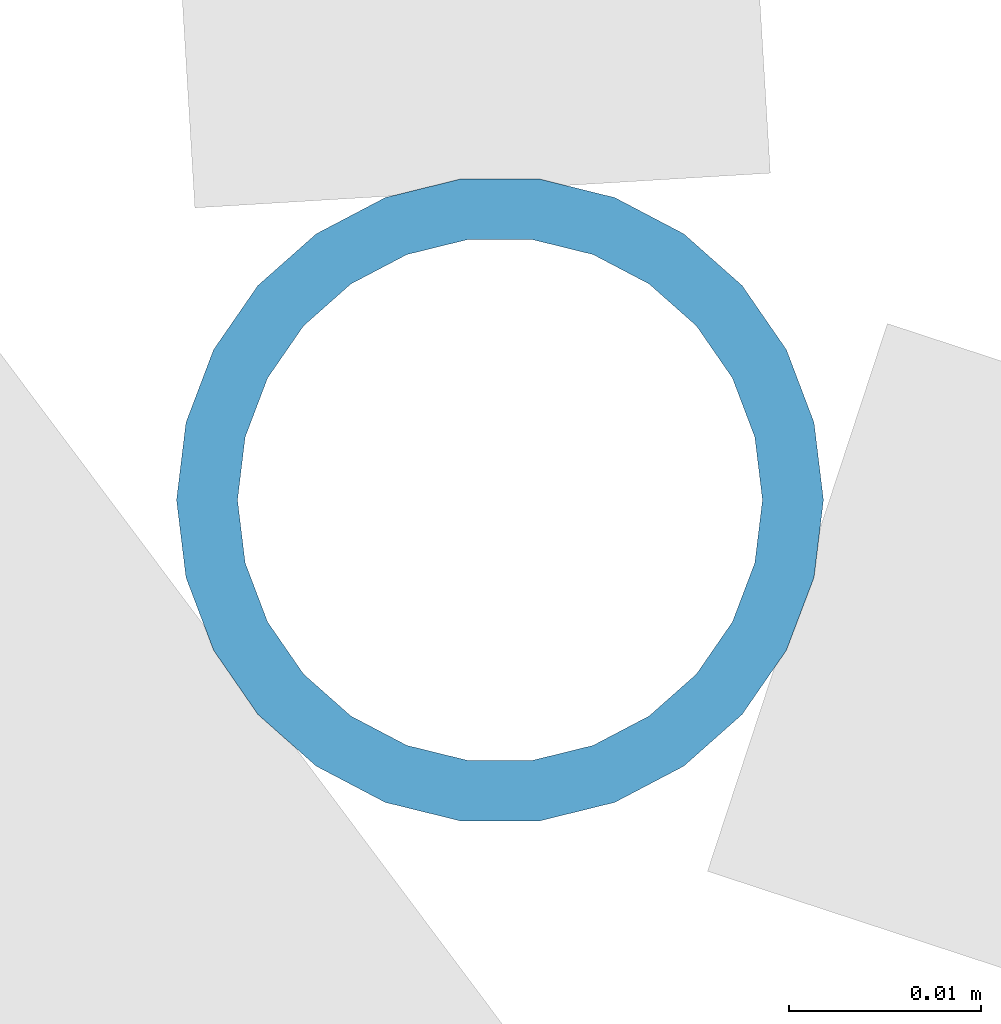
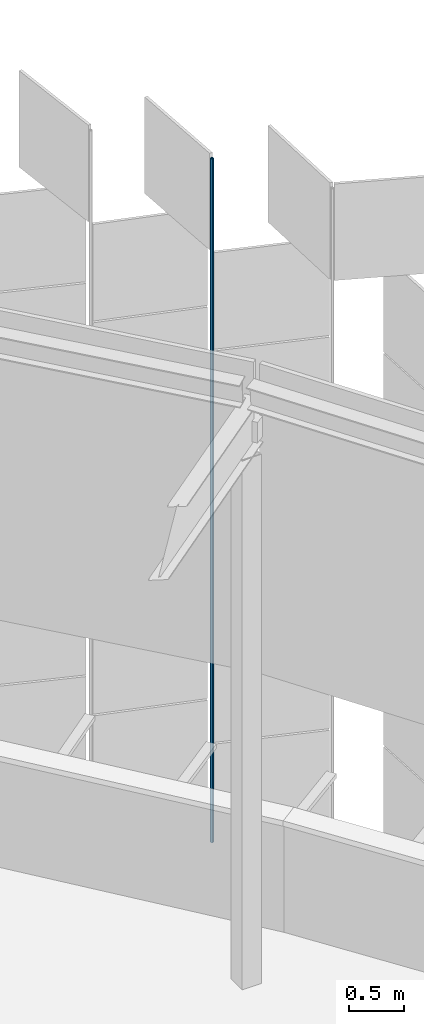
# One storey, part 311 of 483: 1 discrete accessory.
"""IFC4 building model written with IfcOpenShell, lengths in metres."""

from ifc_helpers import new_model, si_unit, direction, frame, origin, origin_2d, place, context, subcontext, project, spatial, hollow_circle, extrude, material, material_profile, profile_set, type_object, element, save


model = new_model("IFC4")

# Units and contexts
model_context = context("Model", 3, precision=1e-05, world=origin(), true_north=direction((0.0, 1.0)))
body_context = subcontext(model_context, "Body", "Model", "MODEL_VIEW")
ifc_project = project(units=[si_unit("LENGTHUNIT", "METRE"), si_unit("AREAUNIT", "SQUARE_METRE"), si_unit("VOLUMEUNIT", "CUBIC_METRE"), si_unit("PLANEANGLEUNIT", "RADIAN"), si_unit("MASSUNIT", "GRAM", prefix="KILO")], contexts=[model_context])

# Site, building, storey
site_placement = place(None, origin())
site = spatial("IfcSite", under=ifc_project, at=site_placement, CompositionType="ELEMENT")
building_placement = place(site_placement, origin())
building = spatial("IfcBuilding", under=site, at=building_placement, Name="Parallax Yard Mobility Hub", CompositionType="ELEMENT")
storey_placement = place(building_placement, frame((0.0, 0.0, 13.199951171875)))
storey = spatial("IfcBuildingStorey", under=building, at=storey_placement, Name="L04", CompositionType="ELEMENT", Elevation=13.199951171875)

# Discrete accessory
ifc_material = material(Name="Steel ASTM A500 Gr C, hot-dip galvanised", Category="steel")
ifc_material_profile = material_profile(ifc_material, hollow_circle(Radius=0.016845703125, WallThickness=0.003173828125, at=origin_2d()), Name="CHS 33.7x3.2")
ifc_profile_set = profile_set([ifc_material_profile], Name="Steel ASTM A500 Gr C, hot-dip galvanised")
discrete_accessory_type = type_object("IfcDiscreteAccessoryType", Name="Hinge post CHS 33.7x3.2", PredefinedType="BRACKET", material=ifc_profile_set)
discrete_accessory_placement = place(storey_placement, frame((214.925537109375, 122.29736328125, 0.0), z_axis=(0.0, 0.0, 1.0), x_axis=(1.0, 0.0, 0.0)))
element("IfcDiscreteAccessory", 1, at=discrete_accessory_placement, inside=storey, type_object=discrete_accessory_type, Name="Hinge post bay 45.2 level L04", PredefinedType="BRACKET", context=body_context, shape_type="SweptSolid", body=[
    extrude(hollow_circle(Radius=0.016845703125, WallThickness=0.003173828125, at=origin_2d()), origin(), (0.0, 0.0, 1.0), 7.650146484375),
])

save(model, "model.ifc")
